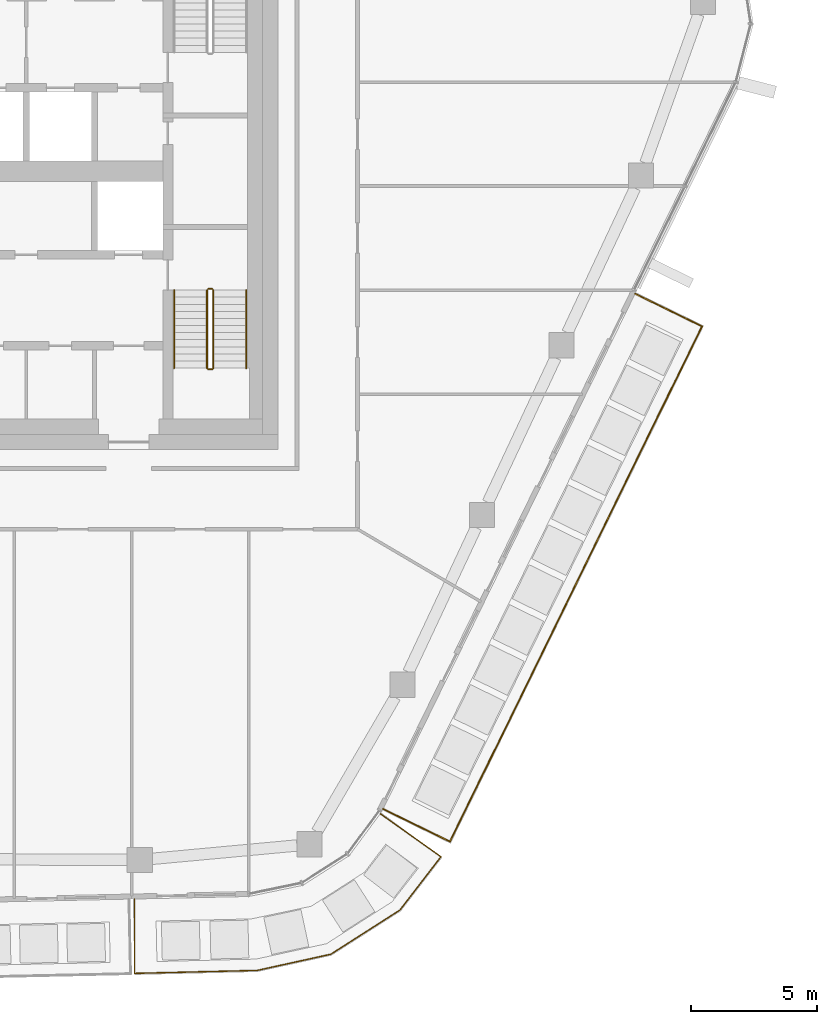
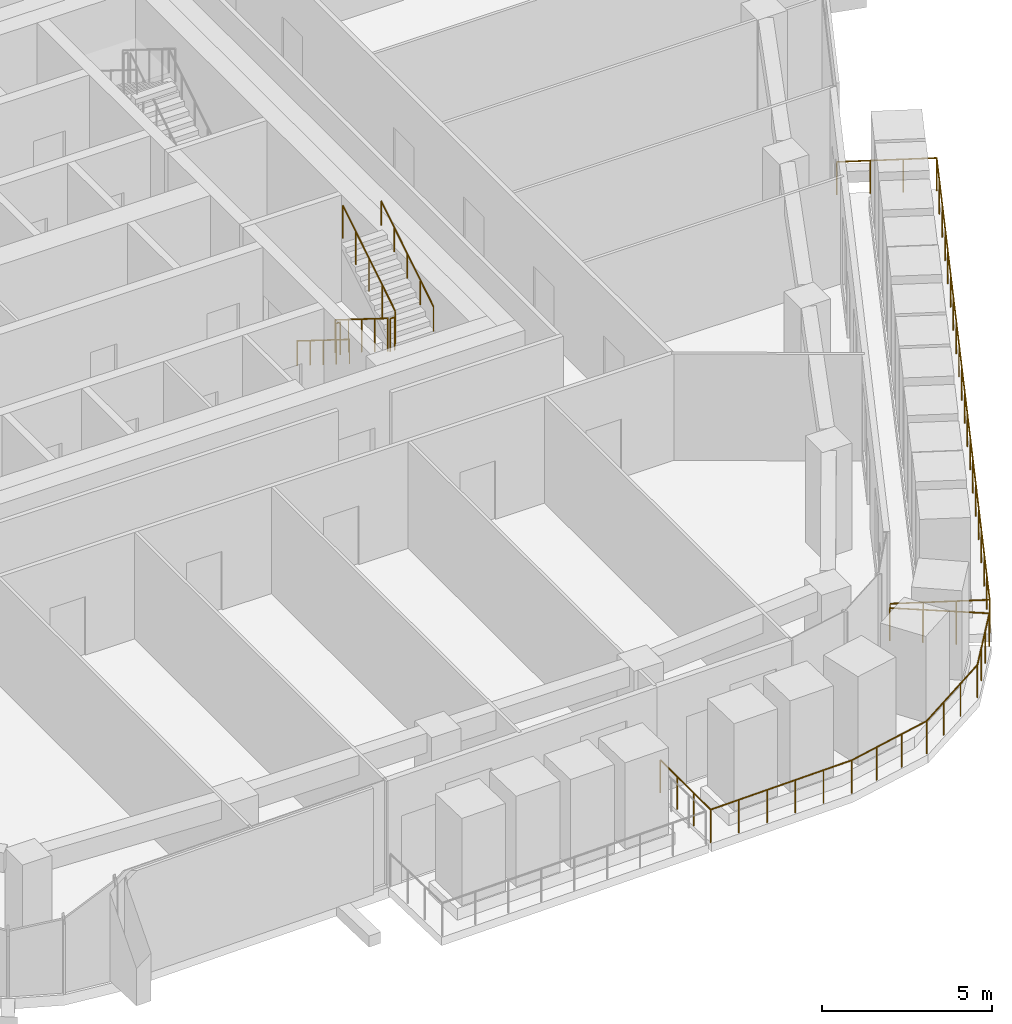
# One storey, part 20 of 24: 8 railings.
"""IFC4 building model written with IfcOpenShell, lengths in metres."""

import ifcopenshell
import ifcopenshell.guid

model = None  # the IFC model being written
_history = None  # IfcOwnerHistory: only IFC2X3 demands one
_inside = {}  # id of a spatial element -> (the spatial element, [elements in it])
_under = {}  # id of a project, library or spatial element -> (it, [spatial elements below it])
_declared = {}  # id of a project -> (the project, [libraries it declares])
_typed = {}  # id of a type object -> (the type object, [elements of that type])
_made_of = {}  # id of a material, layer set ... -> (it, [elements and type objects made of it])


def new_model(schema):
    """Start an empty IFC model of exactly this schema.

    Asked for "IFC4X3", IfcOpenShell would pick the latest addendum, in which some entities
    have other attributes; the version numbers below select the first issue.
    IFC2X3 requires an IfcOwnerHistory on every rooted entity: one is made here for all.
    """
    global model, _history
    if schema == "IFC4X3":
        model = ifcopenshell.file(schema_version=(4, 3, 0, 0))
    else:
        model = ifcopenshell.file(schema=schema)
    _inside.clear()
    _under.clear()
    _declared.clear()
    _typed.clear()
    _made_of.clear()
    _history = None
    if model.schema == "IFC2X3":
        org = make("IfcOrganization", Name="unknown")
        user = make(
            "IfcPersonAndOrganization",
            ThePerson=make("IfcPerson", FamilyName="unknown"),
            TheOrganization=org,
        )
        app = make(
            "IfcApplication",
            ApplicationDeveloper=org,
            Version="unknown",
            ApplicationFullName="unknown",
            ApplicationIdentifier="unknown",
        )
        _history = make(
            "IfcOwnerHistory",
            OwningUser=user,
            OwningApplication=app,
            ChangeAction="ADDED",
            CreationDate=0,
        )
    return model


def make(cls, **values):
    """One entity of the class cls with the attributes given. An attribute that is None is left unset."""
    return model.create_entity(
        cls, **{name: value for name, value in values.items() if value is not None}
    )


def rooted(cls, **values):
    """An entity with a GlobalId (a new one), such as an element, a storey or a relation."""
    return make(cls, GlobalId=ifcopenshell.guid.new(), OwnerHistory=_history, **values)


def si_unit(unit_type, name, prefix=None):
    """IfcSIUnit, for example si_unit("LENGTHUNIT", "METRE", prefix="MILLI")."""
    return make("IfcSIUnit", UnitType=unit_type, Prefix=prefix, Name=name)


def assignment(units):
    """IfcUnitAssignment: the units of a project."""
    return None if units is None else make("IfcUnitAssignment", Units=units)


def point(xyz):
    """IfcCartesianPoint."""
    return None if xyz is None else make("IfcCartesianPoint", Coordinates=xyz)


def direction(xyz):
    """IfcDirection."""
    return None if xyz is None else make("IfcDirection", DirectionRatios=xyz)


def frame(location, z_axis=None, x_axis=None):
    """IfcAxis2Placement3D, a coordinate frame: its origin and axes. An axis left out is left unset."""
    return make(
        "IfcAxis2Placement3D",
        Location=point(location),
        Axis=direction(z_axis),
        RefDirection=direction(x_axis),
    )


def frame_2d(location, x_axis=None):
    """IfcAxis2Placement2D, a coordinate frame in the plane: its origin and x axis."""
    return make(
        "IfcAxis2Placement2D", Location=point(location), RefDirection=direction(x_axis)
    )


def origin():
    """The frame at (0, 0, 0) with its axes left unset."""
    return frame((0.0, 0.0, 0.0))


def origin_2d():
    """The frame at (0, 0) in the plane with its x axis left unset."""
    return frame_2d((0.0, 0.0))


def place(relative_to, where):
    """IfcLocalPlacement: puts the frame where relative to a parent placement (None: the world)."""
    return make(
        "IfcLocalPlacement", PlacementRelTo=relative_to, RelativePlacement=where
    )


def context(
    kind, dimensions, precision=None, world=None, true_north=None, identifier=None
):
    """IfcGeometricRepresentationContext, for example the 3D "Model" context."""
    return make(
        "IfcGeometricRepresentationContext",
        ContextIdentifier=identifier,
        ContextType=kind,
        CoordinateSpaceDimension=dimensions,
        Precision=precision,
        WorldCoordinateSystem=world,
        TrueNorth=true_north,
    )


def subcontext(parent, identifier, kind, view, scale=None):
    """IfcGeometricRepresentationSubContext, for example "Body" below "Model"."""
    return make(
        "IfcGeometricRepresentationSubContext",
        ContextIdentifier=identifier,
        ContextType=kind,
        ParentContext=parent,
        TargetScale=scale,
        TargetView=view,
    )


def project(units=None, contexts=None):
    """IfcProject with its units and contexts."""
    return rooted(
        "IfcProject",
        Name="project",
        RepresentationContexts=contexts,
        UnitsInContext=assignment(units),
    )


def spatial(cls, under=None, at=None, **own):
    """A site, building, storey or space (cls), placed at a placement, below another one or the project."""
    s = rooted(cls, ObjectPlacement=at, **own)
    if under is not None:
        _under.setdefault(under.id(), (under, []))[1].append(s)
    return s


def profile(cls, at=None, kind="AREA", **sizes):
    """A parametric profile (cls). Its sizes go by their IFC names, for example OverallWidth=200.0."""
    return make(cls, ProfileType=kind, Position=at, **sizes)


def circle(**sizes):
    """IfcCircleProfileDef."""
    return profile("IfcCircleProfileDef", **sizes)


def extrude(swept, where, along, depth):
    """IfcExtrudedAreaSolid: the profile swept, set in the frame where, extruded along a direction by depth."""
    return make(
        "IfcExtrudedAreaSolid",
        SweptArea=swept,
        Position=where,
        ExtrudedDirection=direction(along),
        Depth=depth,
    )


def shape(context_of_items, identifier, shape_type, items):
    """IfcShapeRepresentation: the items that make up one representation, for example the "Body"."""
    return make(
        "IfcShapeRepresentation",
        ContextOfItems=context_of_items,
        RepresentationIdentifier=identifier,
        RepresentationType=shape_type,
        Items=items,
    )


def material(Name=None, Category=None):
    """IfcMaterial."""
    return make("IfcMaterial", Name=Name, Category=Category)


def made_of(thing, what):
    """Note that an element or type object is made of a material, layer set ...; save() writes the relation."""
    if what is not None:
        _made_of.setdefault(what.id(), (what, []))[1].append(thing)
    return thing


def type_object(cls, material=None, **own):
    """A type object (cls), such as IfcWallType, which elements share."""
    return made_of(rooted(cls, **own), material)


def element(
    cls,
    number,
    at=None,
    inside=None,
    cuts=None,
    type_object=None,
    material=None,
    context=None,
    identifier="Body",
    shape_type=None,
    held_by="IfcProductDefinitionShape",
    body=None,
    shapes=None,
    **own,
):
    """One element of the class cls, such as IfcWall. Its Tag is "e" and its number.

    at: its placement. inside: the storey or other place that contains it. cuts: it is an
    opening in that element (IfcRelVoidsElement). A single representation is given by context,
    identifier, shape_type and body (its items); several are given by shapes. held_by: the class
    of the entity that holds the representations. save() writes the other relations.
    """
    e = rooted(cls, Tag="e%d" % number, ObjectPlacement=at, **own)
    if body is not None:
        shapes = [shape(context, identifier, shape_type, body)]
    if shapes is not None:
        e.Representation = make(held_by, Representations=shapes)
    if inside is not None:
        _inside.setdefault(inside.id(), (inside, []))[1].append(e)
    if cuts is not None:
        rooted(
            "IfcRelVoidsElement", RelatingBuildingElement=cuts, RelatedOpeningElement=e
        )
    if type_object is not None:
        _typed.setdefault(type_object.id(), (type_object, []))[1].append(e)
    return made_of(e, material)


def aggregate(whole, parts):
    """IfcRelAggregates: a whole, such as a stair, and the parts it consists of."""
    return rooted("IfcRelAggregates", RelatingObject=whole, RelatedObjects=parts)


def save(model, path):
    """Write the relations noted so far, then the file.

    IfcRelAggregates (storeys below a building ...), IfcRelContainedInSpatialStructure (elements
    in a storey), IfcRelDefinesByType, IfcRelAssociatesMaterial and IfcRelDeclares: one each for
    every whole, place, type object, material and project.
    """
    for whole, parts in _under.values():
        aggregate(whole, parts)
    for where, things in _inside.values():
        rooted(
            "IfcRelContainedInSpatialStructure",
            RelatedElements=things,
            RelatingStructure=where,
        )
    for kind, things in _typed.values():
        rooted("IfcRelDefinesByType", RelatedObjects=things, RelatingType=kind)
    for what, things in _made_of.values():
        rooted("IfcRelAssociatesMaterial", RelatedObjects=things, RelatingMaterial=what)
    for by, libraries in _declared.values():
        rooted("IfcRelDeclares", RelatingContext=by, RelatedDefinitions=libraries)
    model.write(path)


model = new_model("IFC4")

# Units and contexts
model_context = context("Model", 3, precision=1e-05, world=origin(), true_north=direction((0.0, 1.0)))
body_context = subcontext(model_context, "Body", "Model", "MODEL_VIEW")
ifc_project = project(units=[si_unit("LENGTHUNIT", "METRE"), si_unit("AREAUNIT", "SQUARE_METRE"), si_unit("VOLUMEUNIT", "CUBIC_METRE"), si_unit("PLANEANGLEUNIT", "RADIAN"), si_unit("MASSUNIT", "GRAM", prefix="KILO")], contexts=[model_context])

# Site, building, storey
site_placement = place(None, origin())
site = spatial("IfcSite", under=ifc_project, at=site_placement, CompositionType="ELEMENT")
building_placement = place(site_placement, origin())
building = spatial("IfcBuilding", under=site, at=building_placement, Name="Dongbaek Canopy Tower", CompositionType="ELEMENT")
storey_placement = place(building_placement, frame((0.0, 0.0, 332.0)))
storey = spatial("IfcBuildingStorey", under=building, at=storey_placement, Name="L71", CompositionType="ELEMENT", Elevation=332.0)

# Railings
ifc_material_1 = material(Name="Stainless steel", Category="steel")
railing_type_1 = type_object("IfcRailingType", Name="Balcony balustrade 1200", PredefinedType="BALUSTRADE", material=ifc_material_1)
railing_1_placement = place(storey_placement, frame((8.325927734375, -28.769287109375, 0.0)))
element("IfcRailing", 1, at=railing_1_placement, inside=storey, type_object=railing_type_1, Name="Balcony guard L71 8", PredefinedType="BALUSTRADE", context=body_context, shape_type="SweptSolid", body=[
    extrude(circle(Radius=0.02392578125, at=origin_2d()), frame((0.0, 0.0, 1.17578125), z_axis=(0.001245432445, -0.999999224449, 0.0), x_axis=(0.999999224449, 0.001245432445, 0.0)), (0.0, 0.0, 1.0), 2.9404296875),
    extrude(circle(Radius=0.02392578125, at=origin_2d()), frame((0.003662109375, -2.9404296875, 1.17578125), z_axis=(0.999707601747, 0.024180798373, 0.0), x_axis=(-0.024180798373, 0.999707601747, 0.0)), (0.0, 0.0, 1.0), 4.8564453125),
    extrude(circle(Radius=0.02392578125, at=origin_2d()), frame((4.858642578125, -2.822998046875, 1.17578125), z_axis=(0.97668986744, 0.214655311699, 0.0), x_axis=(-0.214655311699, 0.97668986744, 0.0)), (0.0, 0.0, 1.0), 2.9775390625),
    extrude(circle(Radius=0.02392578125, at=origin_2d()), frame((7.766845703125, -2.183837890625, 1.17578125), z_axis=(0.842552955036, 0.538613514461, 0.0), x_axis=(-0.538613514461, 0.842552955036, 0.0)), (0.0, 0.0, 1.0), 3.24267578125),
    extrude(circle(Radius=0.02392578125, at=origin_2d()), frame((10.4990234375, -0.437255859375, 1.17578125), z_axis=(0.609604303929, 0.792705867665, 0.0), x_axis=(-0.792705867665, 0.609604303929, 0.0)), (0.0, 0.0, 1.0), 2.66015625),
    extrude(circle(Radius=0.02392578125, at=origin_2d()), frame((12.12060546875, 1.67138671875, 1.17578125), z_axis=(-0.815725768278, 0.578438822147, 0.0), x_axis=(-0.578438822147, -0.815725768278, 0.0)), (0.0, 0.0, 1.0), 2.9404296875),
    extrude(circle(Radius=0.02099609375, at=origin_2d()), origin(), (0.0, 0.0, 1.0), 1.15185546875),
    extrude(circle(Radius=0.02099609375, at=origin_2d()), frame((0.001220703125, -0.980224609375, 0.0)), (0.0, 0.0, 1.0), 1.15185546875),
    extrude(circle(Radius=0.02099609375, at=origin_2d()), frame((0.00244140625, -1.960205078125, 0.0)), (0.0, 0.0, 1.0), 1.15185546875),
    extrude(circle(Radius=0.02099609375, at=origin_2d()), frame((0.003662109375, -2.9404296875, 0.0)), (0.0, 0.0, 1.0), 1.15185546875),
    extrude(circle(Radius=0.02099609375, at=origin_2d()), frame((0.974609375, -2.9169921875, 0.0)), (0.0, 0.0, 1.0), 1.15185546875),
    extrude(circle(Radius=0.02099609375, at=origin_2d()), frame((1.945556640625, -2.8935546875, 0.0)), (0.0, 0.0, 1.0), 1.15185546875),
    extrude(circle(Radius=0.02099609375, at=origin_2d()), frame((2.916748046875, -2.869873046875, 0.0)), (0.0, 0.0, 1.0), 1.15185546875),
    extrude(circle(Radius=0.02099609375, at=origin_2d()), frame((3.8876953125, -2.846435546875, 0.0)), (0.0, 0.0, 1.0), 1.15185546875),
    extrude(circle(Radius=0.02099609375, at=origin_2d()), frame((4.858642578125, -2.822998046875, 0.0)), (0.0, 0.0, 1.0), 1.15185546875),
    extrude(circle(Radius=0.02099609375, at=origin_2d()), frame((5.828125, -2.60986328125, 0.0)), (0.0, 0.0, 1.0), 1.15185546875),
    extrude(circle(Radius=0.02099609375, at=origin_2d()), frame((6.79736328125, -2.39697265625, 0.0)), (0.0, 0.0, 1.0), 1.15185546875),
    extrude(circle(Radius=0.02099609375, at=origin_2d()), frame((7.766845703125, -2.183837890625, 0.0)), (0.0, 0.0, 1.0), 1.15185546875),
    extrude(circle(Radius=0.02099609375, at=origin_2d()), frame((8.677490234375, -1.6015625, 0.0)), (0.0, 0.0, 1.0), 1.15185546875),
    extrude(circle(Radius=0.02099609375, at=origin_2d()), frame((9.58837890625, -1.01953125, 0.0)), (0.0, 0.0, 1.0), 1.15185546875),
    extrude(circle(Radius=0.02099609375, at=origin_2d()), frame((10.4990234375, -0.437255859375, 0.0)), (0.0, 0.0, 1.0), 1.15185546875),
    extrude(circle(Radius=0.02099609375, at=origin_2d()), frame((11.03955078125, 0.265625, 0.0)), (0.0, 0.0, 1.0), 1.15185546875),
    extrude(circle(Radius=0.02099609375, at=origin_2d()), frame((11.580078125, 0.968505859375, 0.0)), (0.0, 0.0, 1.0), 1.15185546875),
    extrude(circle(Radius=0.02099609375, at=origin_2d()), frame((12.12060546875, 1.67138671875, 0.0)), (0.0, 0.0, 1.0), 1.15185546875),
    extrude(circle(Radius=0.02099609375, at=origin_2d()), frame((11.321044921875, 2.23828125, 0.0)), (0.0, 0.0, 1.0), 1.15185546875),
    extrude(circle(Radius=0.02099609375, at=origin_2d()), frame((10.521484375, 2.805419921875, 0.0)), (0.0, 0.0, 1.0), 1.15185546875),
    extrude(circle(Radius=0.02099609375, at=origin_2d()), frame((9.721923828125, 3.372314453125, 0.0)), (0.0, 0.0, 1.0), 1.15185546875),
])
railing_2_placement = place(storey_placement, frame((18.16162109375, -25.209716796875, 0.0)))
element("IfcRailing", 2, at=railing_2_placement, inside=storey, type_object=railing_type_1, Name="Balcony guard L71 5", PredefinedType="BALUSTRADE", context=body_context, shape_type="SweptSolid", body=[
    extrude(circle(Radius=0.02392578125, at=origin_2d()), frame((0.0, 0.0, 1.17578125), z_axis=(0.898345037458, -0.439290557234, 0.0), x_axis=(0.439290557234, 0.898345037458, 0.0)), (0.0, 0.0, 1.0), 2.93994140625),
    extrude(circle(Radius=0.02392578125, at=origin_2d()), frame((2.64111328125, -1.29150390625, 1.17578125), z_axis=(0.439336802154, 0.898322422225, 0.0), x_axis=(-0.898322422225, 0.439336802154, 0.0)), (0.0, 0.0, 1.0), 22.676025390625),
    extrude(circle(Radius=0.02392578125, at=origin_2d()), frame((12.603515625, 19.078857421875, 1.17578125), z_axis=(-0.898312265038, 0.43935757019, 0.0), x_axis=(-0.43935757019, -0.898312265038, 0.0)), (0.0, 0.0, 1.0), 2.940185546875),
    extrude(circle(Radius=0.02099609375, at=origin_2d()), origin(), (0.0, 0.0, 1.0), 1.15185546875),
    extrude(circle(Radius=0.02099609375, at=origin_2d()), frame((0.88037109375, -0.430419921875, 0.0)), (0.0, 0.0, 1.0), 1.15185546875),
    extrude(circle(Radius=0.02099609375, at=origin_2d()), frame((1.7607421875, -0.861083984375, 0.0)), (0.0, 0.0, 1.0), 1.15185546875),
    extrude(circle(Radius=0.02099609375, at=origin_2d()), frame((2.64111328125, -1.29150390625, 0.0)), (0.0, 0.0, 1.0), 1.15185546875),
    extrude(circle(Radius=0.02099609375, at=origin_2d()), frame((3.16552734375, -0.219482421875, 0.0)), (0.0, 0.0, 1.0), 1.15185546875),
    extrude(circle(Radius=0.02099609375, at=origin_2d()), frame((3.689697265625, 0.852783203125, 0.0)), (0.0, 0.0, 1.0), 1.15185546875),
    extrude(circle(Radius=0.02099609375, at=origin_2d()), frame((4.214111328125, 1.9248046875, 0.0)), (0.0, 0.0, 1.0), 1.15185546875),
    extrude(circle(Radius=0.02099609375, at=origin_2d()), frame((4.738525390625, 2.9970703125, 0.0)), (0.0, 0.0, 1.0), 1.15185546875),
    extrude(circle(Radius=0.02099609375, at=origin_2d()), frame((5.2626953125, 4.069091796875, 0.0)), (0.0, 0.0, 1.0), 1.15185546875),
    extrude(circle(Radius=0.02099609375, at=origin_2d()), frame((5.787109375, 5.141357421875, 0.0)), (0.0, 0.0, 1.0), 1.15185546875),
    extrude(circle(Radius=0.02099609375, at=origin_2d()), frame((6.3115234375, 6.21337890625, 0.0)), (0.0, 0.0, 1.0), 1.15185546875),
    extrude(circle(Radius=0.02099609375, at=origin_2d()), frame((6.835693359375, 7.285400390625, 0.0)), (0.0, 0.0, 1.0), 1.15185546875),
    extrude(circle(Radius=0.02099609375, at=origin_2d()), frame((7.360107421875, 8.357666015625, 0.0)), (0.0, 0.0, 1.0), 1.15185546875),
    extrude(circle(Radius=0.02099609375, at=origin_2d()), frame((7.884521484375, 9.4296875, 0.0)), (0.0, 0.0, 1.0), 1.15185546875),
    extrude(circle(Radius=0.02099609375, at=origin_2d()), frame((8.408935546875, 10.501953125, 0.0)), (0.0, 0.0, 1.0), 1.15185546875),
    extrude(circle(Radius=0.02099609375, at=origin_2d()), frame((8.93310546875, 11.573974609375, 0.0)), (0.0, 0.0, 1.0), 1.15185546875),
    extrude(circle(Radius=0.02099609375, at=origin_2d()), frame((9.45751953125, 12.64599609375, 0.0)), (0.0, 0.0, 1.0), 1.15185546875),
    extrude(circle(Radius=0.02099609375, at=origin_2d()), frame((9.98193359375, 13.71826171875, 0.0)), (0.0, 0.0, 1.0), 1.15185546875),
    extrude(circle(Radius=0.02099609375, at=origin_2d()), frame((10.506103515625, 14.790283203125, 0.0)), (0.0, 0.0, 1.0), 1.15185546875),
    extrude(circle(Radius=0.02099609375, at=origin_2d()), frame((11.030517578125, 15.862548828125, 0.0)), (0.0, 0.0, 1.0), 1.15185546875),
    extrude(circle(Radius=0.02099609375, at=origin_2d()), frame((11.554931640625, 16.9345703125, 0.0)), (0.0, 0.0, 1.0), 1.15185546875),
    extrude(circle(Radius=0.02099609375, at=origin_2d()), frame((12.0791015625, 18.0068359375, 0.0)), (0.0, 0.0, 1.0), 1.15185546875),
    extrude(circle(Radius=0.02099609375, at=origin_2d()), frame((12.603515625, 19.078857421875, 0.0)), (0.0, 0.0, 1.0), 1.15185546875),
    extrude(circle(Radius=0.02099609375, at=origin_2d()), frame((11.72314453125, 19.509521484375, 0.0)), (0.0, 0.0, 1.0), 1.15185546875),
    extrude(circle(Radius=0.02099609375, at=origin_2d()), frame((10.8427734375, 19.93994140625, 0.0)), (0.0, 0.0, 1.0), 1.15185546875),
    extrude(circle(Radius=0.02099609375, at=origin_2d()), frame((9.96240234375, 20.37060546875, 0.0)), (0.0, 0.0, 1.0), 1.15185546875),
])
ifc_material_2 = material(Name="Stainless steel tube and balusters", Category="steel")
railing_type_2 = type_object("IfcRailingType", Name="Stair guard 1200", PredefinedType="GUARDRAIL", material=ifc_material_2)
railing_3_placement = place(storey_placement, frame((11.199951171875, -4.699951171875, 0.175048828125)))
element("IfcRailing", 3, at=railing_3_placement, inside=storey, type_object=railing_type_2, Name="L71 ST-B stair guard 1", PredefinedType="GUARDRAIL", context=body_context, shape_type="SweptSolid", body=[
    extrude(circle(Radius=0.02392578125, at=origin_2d()), frame((0.0, 0.0, 1.17578125), z_axis=(0.0, -0.847998304005, 0.529998940003), x_axis=(1.0, 0.0, 0.0)), (0.0, 0.0, 1.0), 3.632080078125),
    extrude(circle(Radius=0.02099609375, at=origin_2d()), origin(), (0.0, 0.0, 1.0), 1.15185546875),
    extrude(circle(Radius=0.02099609375, at=origin_2d()), frame((0.0, -0.77001953125, 0.481201171875)), (0.0, 0.0, 1.0), 1.15185546875),
    extrude(circle(Radius=0.02099609375, at=origin_2d()), frame((0.0, -1.5400390625, 0.96240234375)), (0.0, 0.0, 1.0), 1.15185546875),
    extrude(circle(Radius=0.02099609375, at=origin_2d()), frame((0.0, -2.31005859375, 1.44384765625)), (0.0, 0.0, 1.0), 1.15185546875),
    extrude(circle(Radius=0.02099609375, at=origin_2d()), frame((0.0, -3.080078125, 1.925048828125)), (0.0, 0.0, 1.0), 1.15185546875),
])
railing_4_placement = place(storey_placement, frame((11.25, -7.830078125, 2.10009765625)))
element("IfcRailing", 4, at=railing_4_placement, inside=storey, type_object=railing_type_2, Name="L71 ST-B stair guard 2", PredefinedType="GUARDRAIL", context=body_context, shape_type="SweptSolid", body=[
    extrude(circle(Radius=0.02392578125, at=origin_2d()), frame((0.0, 0.0, 1.17578125), z_axis=(1.0, 0.0, 0.0), x_axis=(0.0, 1.0, 0.0)), (0.0, 0.0, 1.0), 0.14990234375),
    extrude(circle(Radius=0.02099609375, at=origin_2d()), origin(), (0.0, 0.0, 1.0), 1.15185546875),
    extrude(circle(Radius=0.02099609375, at=origin_2d()), frame((0.14990234375, 0.0, 0.0)), (0.0, 0.0, 1.0), 1.15185546875),
])
railing_5_placement = place(storey_placement, frame((11.449951171875, -7.780029296875, 2.27490234375)))
element("IfcRailing", 5, at=railing_5_placement, inside=storey, type_object=railing_type_2, Name="L71 ST-B stair guard 3", PredefinedType="GUARDRAIL", context=body_context, shape_type="SweptSolid", body=[
    extrude(circle(Radius=0.02392578125, at=origin_2d()), frame((0.0, 0.0, 1.17578125), z_axis=(0.0, 0.847998304005, 0.529998940003), x_axis=(-1.0, 0.0, 0.0)), (0.0, 0.0, 1.0), 3.632080078125),
    extrude(circle(Radius=0.02099609375, at=origin_2d()), origin(), (0.0, 0.0, 1.0), 1.15185546875),
    extrude(circle(Radius=0.02099609375, at=origin_2d()), frame((0.0, 0.77001953125, 0.481201171875)), (0.0, 0.0, 1.0), 1.15185546875),
    extrude(circle(Radius=0.02099609375, at=origin_2d()), frame((0.0, 1.5400390625, 0.96240234375)), (0.0, 0.0, 1.0), 1.15185546875),
    extrude(circle(Radius=0.02099609375, at=origin_2d()), frame((0.0, 2.31005859375, 1.44384765625)), (0.0, 0.0, 1.0), 1.15185546875),
    extrude(circle(Radius=0.02099609375, at=origin_2d()), frame((0.0, 3.080078125, 1.925048828125)), (0.0, 0.0, 1.0), 1.15185546875),
])
railing_6_placement = place(storey_placement, frame((11.25, -4.64990234375, 0.0)))
element("IfcRailing", 6, at=railing_6_placement, inside=storey, type_object=railing_type_2, Name="L71 ST-B stair guard 4", PredefinedType="GUARDRAIL", context=body_context, shape_type="SweptSolid", body=[
    extrude(circle(Radius=0.02392578125, at=origin_2d()), frame((0.0, 0.0, 1.17578125), z_axis=(1.0, 0.0, 0.0), x_axis=(0.0, 1.0, 0.0)), (0.0, 0.0, 1.0), 0.14990234375),
    extrude(circle(Radius=0.02099609375, at=origin_2d()), origin(), (0.0, 0.0, 1.0), 1.15185546875),
    extrude(circle(Radius=0.02099609375, at=origin_2d()), frame((0.14990234375, 0.0, 0.0)), (0.0, 0.0, 1.0), 1.15185546875),
])
ifc_material_3 = material(Name="Stainless steel tube", Category="steel")
railing_type_3 = type_object("IfcRailingType", Name="Stair handrail 900", PredefinedType="HANDRAIL", material=ifc_material_3)
railing_7_placement = place(storey_placement, frame((9.89990234375, -4.699951171875, 0.175048828125)))
element("IfcRailing", 7, at=railing_7_placement, inside=storey, type_object=railing_type_3, Name="L71 ST-B stair handrail 1", PredefinedType="HANDRAIL", context=body_context, shape_type="SweptSolid", body=[
    extrude(circle(Radius=0.02392578125, at=origin_2d()), frame((0.0, 0.0, 0.8759765625), z_axis=(0.0, -0.847998304005, 0.529998940003), x_axis=(1.0, 0.0, 0.0)), (0.0, 0.0, 1.0), 3.632080078125),
    extrude(circle(Radius=0.02099609375, at=origin_2d()), origin(), (0.0, 0.0, 1.0), 0.851806640625),
    extrude(circle(Radius=0.02099609375, at=origin_2d()), frame((0.0, -0.77001953125, 0.481201171875)), (0.0, 0.0, 1.0), 0.851806640625),
    extrude(circle(Radius=0.02099609375, at=origin_2d()), frame((0.0, -1.5400390625, 0.96240234375)), (0.0, 0.0, 1.0), 0.851806640625),
    extrude(circle(Radius=0.02099609375, at=origin_2d()), frame((0.0, -2.31005859375, 1.44384765625)), (0.0, 0.0, 1.0), 0.851806640625),
    extrude(circle(Radius=0.02099609375, at=origin_2d()), frame((0.0, -3.080078125, 1.925048828125)), (0.0, 0.0, 1.0), 0.851806640625),
])
railing_8_placement = place(storey_placement, frame((12.75, -7.780029296875, 2.27490234375)))
element("IfcRailing", 8, at=railing_8_placement, inside=storey, type_object=railing_type_3, Name="L71 ST-B stair handrail 2", PredefinedType="HANDRAIL", context=body_context, shape_type="SweptSolid", body=[
    extrude(circle(Radius=0.02392578125, at=origin_2d()), frame((0.0, 0.0, 0.8759765625), z_axis=(0.0, 0.847998304005, 0.529998940003), x_axis=(-1.0, 0.0, 0.0)), (0.0, 0.0, 1.0), 3.632080078125),
    extrude(circle(Radius=0.02099609375, at=origin_2d()), origin(), (0.0, 0.0, 1.0), 0.851806640625),
    extrude(circle(Radius=0.02099609375, at=origin_2d()), frame((0.0, 0.77001953125, 0.481201171875)), (0.0, 0.0, 1.0), 0.851806640625),
    extrude(circle(Radius=0.02099609375, at=origin_2d()), frame((0.0, 1.5400390625, 0.96240234375)), (0.0, 0.0, 1.0), 0.851806640625),
    extrude(circle(Radius=0.02099609375, at=origin_2d()), frame((0.0, 2.31005859375, 1.44384765625)), (0.0, 0.0, 1.0), 0.851806640625),
    extrude(circle(Radius=0.02099609375, at=origin_2d()), frame((0.0, 3.080078125, 1.925048828125)), (0.0, 0.0, 1.0), 0.851806640625),
])

save(model, "model.ifc")
